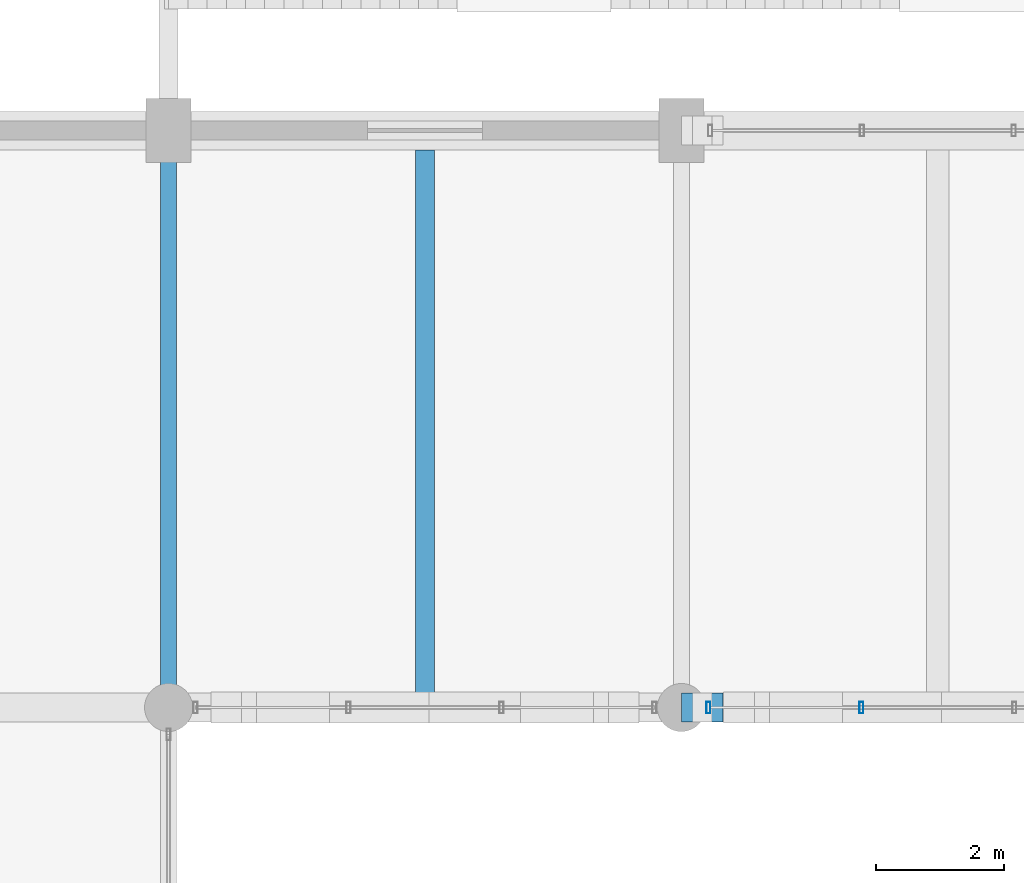
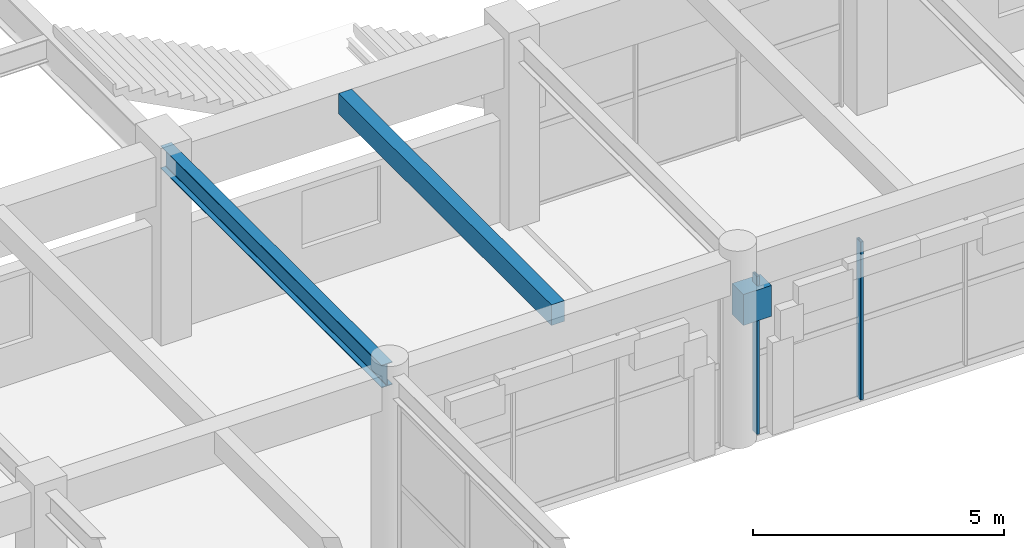
# One storey, part 22 of 144: 3 beams, 2 members, 1 element without a shape of its own.
"""IFC4 building model written with IfcOpenShell, lengths in metres."""

from ifc_helpers import new_model, si_unit, direction, frame, origin, origin_2d, place, context, subcontext, project, spatial, rectangle, hollow_rectangle, i_section, extrude, material, material_profile, profile_set, type_object, element, aggregate, save


model = new_model("IFC4")

# Units and contexts
model_context = context("Model", 3, precision=1e-05, world=origin(), true_north=direction((0.0, 1.0)))
body_context = subcontext(model_context, "Body", "Model", "MODEL_VIEW")
ifc_project = project(units=[si_unit("LENGTHUNIT", "METRE"), si_unit("AREAUNIT", "SQUARE_METRE"), si_unit("VOLUMEUNIT", "CUBIC_METRE"), si_unit("PLANEANGLEUNIT", "RADIAN"), si_unit("MASSUNIT", "GRAM", prefix="KILO")], contexts=[model_context])

# Site, building, storey
site_placement = place(None, origin())
site = spatial("IfcSite", under=ifc_project, at=site_placement, CompositionType="ELEMENT")
building_placement = place(site_placement, origin())
building = spatial("IfcBuilding", under=site, at=building_placement, Name="Varnabhumi Central Station", CompositionType="ELEMENT")
storey_placement = place(building_placement, frame((0.0, 0.0, 4.800048828125)))
storey = spatial("IfcBuildingStorey", under=building, at=storey_placement, Name="L01", CompositionType="ELEMENT", Elevation=4.800048828125)

# Beams
ifc_material_1 = material(Name="Concrete M40", Category="concrete")
ifc_material_profile_1 = material_profile(ifc_material_1, rectangle(XDim=0.300048828125, YDim=0.5, at=origin_2d()), Name="Concrete M40", Category="concrete")
ifc_profile_set_1 = profile_set([ifc_material_profile_1], Name="Concrete M40")
beam_type_1 = type_object("IfcBeamType", Name="BM-RC-300x500", PredefinedType="JOIST", material=ifc_profile_set_1)
beam_1_placement = place(storey_placement, frame((116.0, 27.22509765625, 4.300048828125), z_axis=(0.0, 1.0, 0.0), x_axis=(-1.0, 0.0, 0.0)))
element("IfcBeam", 1, at=beam_1_placement, inside=storey, type_object=beam_type_1, Name="Secondary Joist L01-15/16:D-E", PredefinedType="JOIST", context=body_context, shape_type="SweptSolid", body=[
    extrude(rectangle(XDim=0.300048828125, YDim=0.5, at=origin_2d()), origin(), (0.0, 0.0, 1.0), 8.474853515625),
])
ifc_material_profile_2 = material_profile(ifc_material_1, rectangle(XDim=0.449951171875, YDim=0.75, at=origin_2d()), Name="Concrete M40", Category="concrete")
ifc_profile_set_2 = profile_set([ifc_material_profile_2], Name="Concrete M40")
beam_type_2 = type_object("IfcBeamType", Name="BM-RC-450x750", PredefinedType="BEAM", material=ifc_profile_set_2)
beam_2_placement = place(storey_placement, frame((120.0, 27.0, 3.244873046875), z_axis=(1.0, 0.0, 0.0), x_axis=(0.0, 1.0, 0.0)))
element("IfcBeam", 2, at=beam_2_placement, inside=storey, type_object=beam_type_2, Name="Movement Joint 650mm Corbel Seat L01-D-16", PredefinedType="BEAM", context=body_context, shape_type="SweptSolid", body=[
    extrude(rectangle(XDim=0.449951171875, YDim=0.75, at=origin_2d()), origin(), (0.0, 0.0, 1.0), 0.64990234375),
])
ifc_material_2 = material(Name="Structural steel E350", Category="steel")
ifc_material_profile_3 = material_profile(ifc_material_2, i_section(OverallWidth=0.25, OverallDepth=0.550048828125, WebThickness=0.010498046875, FlangeThickness=0.017578125, FilletRadius=0.01611328125, at=origin_2d()), Name="Structural steel E350", Category="steel")
ifc_profile_set_3 = profile_set([ifc_material_profile_3], Name="Structural steel E350")
beam_type_3 = type_object("IfcBeamType", Name="BM-STL-ISWB550", PredefinedType="BEAM", material=ifc_profile_set_3)
beam_3_placement = place(storey_placement, frame((112.0, 27.10009765625, 4.27490234375), z_axis=(0.0, 1.0, 0.0), x_axis=(-1.0, 0.0, 0.0)))
element("IfcBeam", 3, at=beam_3_placement, inside=storey, type_object=beam_type_3, Name="Beam L01-15:D-E", PredefinedType="BEAM", context=body_context, shape_type="SweptSolid", body=[
    extrude(i_section(OverallWidth=0.25, OverallDepth=0.550048828125, WebThickness=0.010498046875, FlangeThickness=0.017578125, FilletRadius=0.01611328125, at=origin_2d()), origin(), (0.0, 0.0, 1.0), 8.7998046875),
])

# Curtain wall, members
ifc_material_3 = material(Name="Anodised aluminium 6063-T6", Category="aluminium")
curtain_wall_type = type_object("IfcCurtainWallType", Name="CW-PATIO-LOGGIA-L1", PredefinedType="NOTDEFINED", material=ifc_material_3)
curtain_wall_placement = place(storey_placement, origin())
curtain_wall = element("IfcCurtainWall", 4, at=curtain_wall_placement, inside=storey, type_object=curtain_wall_type, Name="Curtain Wall CW-SP1N2", PredefinedType="NOTDEFINED")
ifc_material_profile_4 = material_profile(ifc_material_3, hollow_rectangle(XDim=0.06494140625, YDim=0.179931640625, WallThickness=0.00390625, InnerFilletRadius=0.001953125, OuterFilletRadius=0.006103515625, at=origin_2d()), Name="Anodised aluminium 6063-T6", Category="aluminium")
ifc_profile_set_4 = profile_set([ifc_material_profile_4], Name="Anodised aluminium 6063-T6")
member_type = type_object("IfcMemberType", Name="CW-MUL-180", PredefinedType="MULLION", material=ifc_profile_set_4)
member_1_placement = place(storey_placement, frame((120.419921875, 27.0, 0.0), z_axis=(0.0, 0.0, 1.0), x_axis=(1.0, 0.0, 0.0)))
member_1 = element("IfcMember", 5, at=member_1_placement, type_object=member_type, Name="Curtain Wall Mullion CW-SP1N2-M1", PredefinedType="MULLION", context=body_context, shape_type="SweptSolid", body=[
    extrude(hollow_rectangle(XDim=0.06494140625, YDim=0.179931640625, WallThickness=0.00390625, InnerFilletRadius=0.001953125, OuterFilletRadius=0.006103515625, at=origin_2d()), origin(), (0.0, 0.0, 1.0), 3.83984375),
])
member_2_placement = place(storey_placement, frame((122.806640625, 27.0, 0.0), z_axis=(0.0, 0.0, 1.0), x_axis=(1.0, 0.0, 0.0)))
member_2 = element("IfcMember", 6, at=member_2_placement, type_object=member_type, Name="Curtain Wall Mullion CW-SP1N2-M2", PredefinedType="MULLION", context=body_context, shape_type="SweptSolid", body=[
    extrude(hollow_rectangle(XDim=0.06494140625, YDim=0.179931640625, WallThickness=0.00390625, InnerFilletRadius=0.001953125, OuterFilletRadius=0.006103515625, at=origin_2d()), origin(), (0.0, 0.0, 1.0), 3.83984375),
])
aggregate(curtain_wall, [member_1, member_2])

save(model, "model.ifc")
